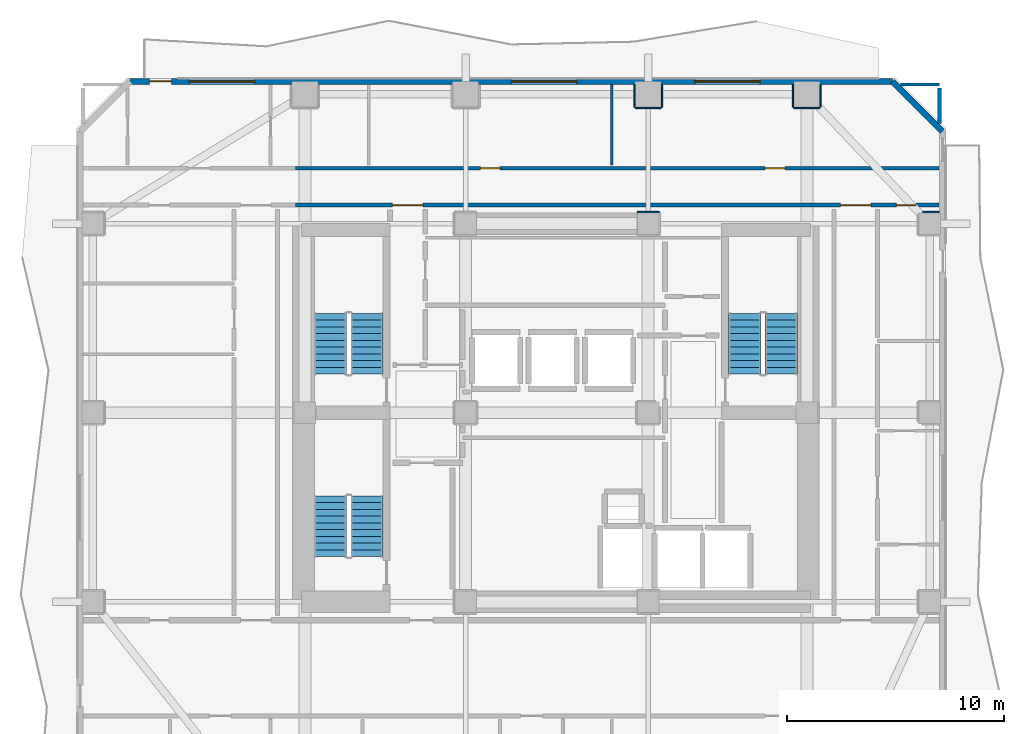
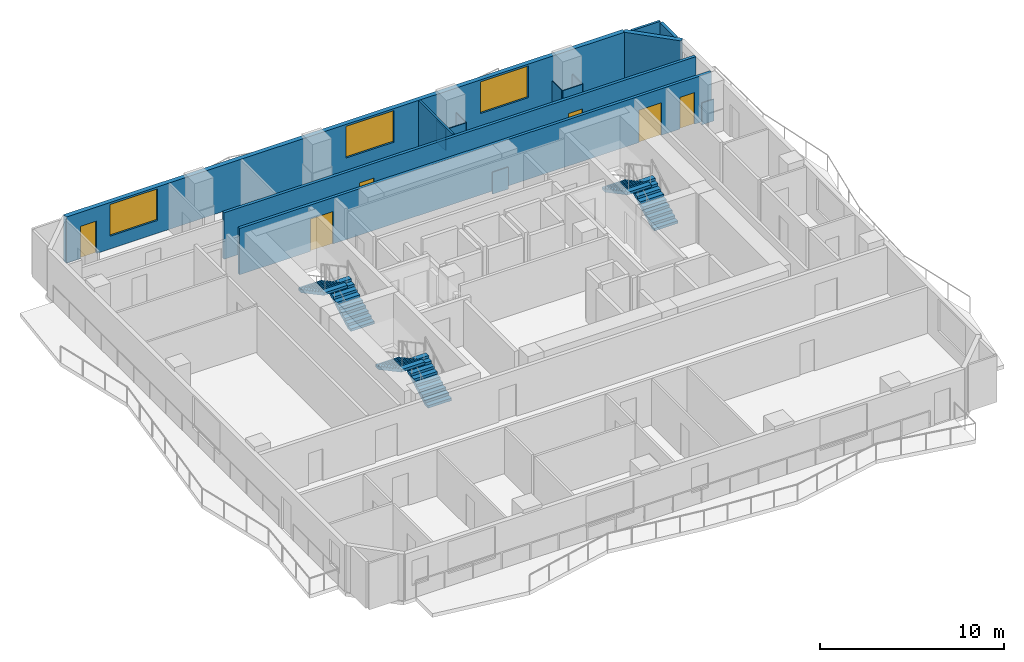
# One storey, part 6 of 10: 15 walls, 6 doors, 6 stair flights, 3 windows, 9 openings, 3 elements without a shape of their own.
"""IFC4 building model written with IfcOpenShell, lengths in metres."""

from ifc_helpers import new_model, si_unit, direction, frame, frame_2d, origin, place, context, subcontext, project, spatial, polyline, rectangle, outline, extrude, material, layer, layer_set, type_object, element, fill, aggregate, save


model = new_model("IFC4")

# Units and contexts
model_context = context("Model", 3, precision=1e-05, world=origin(), true_north=direction((0.0, 1.0)))
body_context = subcontext(model_context, "Body", "Model", "MODEL_VIEW")
ifc_project = project(units=[si_unit("LENGTHUNIT", "METRE"), si_unit("AREAUNIT", "SQUARE_METRE"), si_unit("VOLUMEUNIT", "CUBIC_METRE"), si_unit("PLANEANGLEUNIT", "RADIAN"), si_unit("MASSUNIT", "GRAM", prefix="KILO")], contexts=[model_context])

# Site, building, storey
site_placement = place(None, origin())
site = spatial("IfcSite", under=ifc_project, at=site_placement, CompositionType="ELEMENT")
building_placement = place(site_placement, origin())
building = spatial("IfcBuilding", under=site, at=building_placement, Name="Solanera Arch Residences", CompositionType="ELEMENT")
storey_placement = place(building_placement, frame((0.0, 0.0, 119.360107421875)))
storey = spatial("IfcBuildingStorey", under=building, at=storey_placement, Name="L34", CompositionType="ELEMENT", Elevation=119.360107421875)

# Walls
ifc_material_1 = material(Name="Fire-Rated Gypsum Stud Partition", Category="gypsum")
ifc_layer_1 = layer(ifc_material_1, 0.06005859375)
ifc_layer_set_1 = layer_set([ifc_layer_1], Name="Fire-Rated Gypsum Stud Partition")
wall_type_1 = type_object("IfcWallType", Name="Column Acoustic Furring Wall 60", PredefinedType="PARTITIONING", material=ifc_layer_set_1)
wall_1_placement = place(storey_placement, frame((28.699951171875, 39.931884765625, 0.0), z_axis=(0.0, 0.0, 1.0), x_axis=(1.0, 0.0, 0.0)))
element("IfcWall", 1, at=wall_1_placement, inside=storey, type_object=wall_type_1, Name="L34 Column Furring 4N", PredefinedType="PARTITIONING", context=body_context, shape_type="SweptSolid", body=[
    extrude(rectangle(XDim=1.0, YDim=0.06005859375, at=frame_2d((0.5, 0.0))), origin(), (0.0, 0.0, 1.0), 1.449951171875),
])
wall_2_placement = place(storey_placement, frame((28.60009765625, 44.718017578125, 0.0), z_axis=(0.0, 0.0, 1.0), x_axis=(1.0, 0.0, 0.0)))
element("IfcWall", 2, at=wall_2_placement, inside=storey, type_object=wall_type_1, Name="L34 Column Furring 14S", PredefinedType="PARTITIONING", context=body_context, shape_type="SweptSolid", body=[
    extrude(rectangle(XDim=1.199951171875, YDim=0.06005859375, at=frame_2d((0.60009765625, 0.0))), origin(), (0.0, 0.0, 1.0), 1.449951171875),
])
for number, where, z_axis, x_axis, name in (
    (3, (28.568115234375, 44.75, 0.0), (0.0, 0.0, 1.0), (0.0, 1.0, 0.0), "L34 Column Furring 14W"),
    (4, (29.83203125, 44.75, 0.0), (0.0, 0.0, 1.0), (0.0, 1.0, 0.0), "L34 Column Furring 14E"),
):
    element("IfcWall", number, at=place(storey_placement, frame(where, z_axis=z_axis, x_axis=x_axis)), inside=storey, type_object=wall_type_1, Name=name, PredefinedType="PARTITIONING", context=body_context, shape_type="SweptSolid", body=[
        extrude(rectangle(XDim=1.0400390625, YDim=0.06005859375, at=frame_2d((0.52001953125, 0.0))), origin(), (0.0, 0.0, 1.0), 1.449951171875),
    ])
wall_3_placement = place(storey_placement, frame((35.89990234375, 44.718017578125, 0.0), z_axis=(0.0, 0.0, 1.0), x_axis=(1.0, 0.0, 0.0)))
element("IfcWall", 5, at=wall_3_placement, inside=storey, type_object=wall_type_1, Name="L34 Column Furring 16S", PredefinedType="PARTITIONING", context=body_context, shape_type="SweptSolid", body=[
    extrude(rectangle(XDim=1.2001953125, YDim=0.06005859375, at=frame_2d((0.60009765625, 0.0))), origin(), (0.0, 0.0, 1.0), 1.449951171875),
])
for number, where, z_axis, x_axis, name in (
    (6, (35.867919921875, 44.75, 0.0), (0.0, 0.0, 1.0), (0.0, 1.0, 0.0), "L34 Column Furring 16W"),
    (7, (37.132080078125, 44.75, 0.0), (0.0, 0.0, 1.0), (0.0, 1.0, 0.0), "L34 Column Furring 16E"),
):
    element("IfcWall", number, at=place(storey_placement, frame(where, z_axis=z_axis, x_axis=x_axis)), inside=storey, type_object=wall_type_1, Name=name, PredefinedType="PARTITIONING", context=body_context, shape_type="SweptSolid", body=[
        extrude(rectangle(XDim=1.0400390625, YDim=0.06005859375, at=frame_2d((0.52001953125, 0.0))), origin(), (0.0, 0.0, 1.0), 1.449951171875),
    ])
wall_4_placement = place(storey_placement, frame((41.839111328125, 39.931884765625, 0.0), z_axis=(0.0, 0.0, 1.0), x_axis=(1.0, 0.0, 0.0)))
element("IfcWall", 8, at=wall_4_placement, inside=storey, type_object=wall_type_1, Name="L34 Column Furring 22N", PredefinedType="PARTITIONING", context=body_context, shape_type="SweptSolid", body=[
    extrude(rectangle(XDim=0.7509765625, YDim=0.06005859375, at=frame_2d((0.37548828125, 0.0))), origin(), (0.0, 0.0, 1.0), 1.449951171875),
])

# Wall, openings, doors
ifc_material_2 = material(Name="Autoclaved Aerated Concrete Blockwork", Category="masonry")
ifc_layer_2 = layer(ifc_material_2, 0.179931640625)
ifc_layer_set_2 = layer_set([ifc_layer_2], Name="Autoclaved Aerated Concrete Blockwork")
wall_type_2 = type_object("IfcWallType", Name="Corridor Fire Partition 180", PredefinedType="PARTITIONING", material=ifc_layer_set_2)
wall_5_placement = place(storey_placement, frame((12.97900390625, 40.25, 0.0), z_axis=(0.0, 0.0, 1.0), x_axis=(1.0, 0.0, 0.0)))
wall_5 = element("IfcWall", 9, at=wall_5_placement, inside=storey, type_object=wall_type_2, Name="L34 Interior Partition H11 3", PredefinedType="PARTITIONING", context=body_context, shape_type="SweptSolid", body=[
    extrude(rectangle(XDim=29.614013671875, YDim=0.179931640625, at=frame_2d((14.80712890625, 0.0))), origin(), (0.0, 0.0, 1.0), 3.079833984375),
])
opening_1_placement = place(wall_5_placement, frame((4.4560546875, 0.0, 0.0)))
opening_1 = element("IfcOpeningElement", 10, at=opening_1_placement, cuts=wall_5, Name="Opening DF-03", PredefinedType="OPENING", context=body_context, shape_type="SweptSolid", body=[
    extrude(rectangle(XDim=1.39990234375, YDim=2.14990234375, at=frame_2d((0.699951171875, 1.074951171875))), frame((0.0, 0.10009765625, 0.0), z_axis=(0.0, -1.0, 0.0), x_axis=(1.0, 0.0, 0.0)), (0.0, 0.0, 1.0), 0.1999),
])
opening_2_placement = place(wall_5_placement, frame((25.071044921875, 0.0, 0.0)))
opening_2 = element("IfcOpeningElement", 11, at=opening_2_placement, cuts=wall_5, Name="Opening DF-03", PredefinedType="OPENING", context=body_context, shape_type="SweptSolid", body=[
    extrude(rectangle(XDim=1.39990234375, YDim=2.14990234375, at=frame_2d((0.699951171875, 1.074951171875))), frame((0.0, 0.10009765625, 0.0), z_axis=(0.0, -1.0, 0.0), x_axis=(1.0, 0.0, 0.0)), (0.0, 0.0, 1.0), 0.1999),
])
opening_3_placement = place(wall_5_placement, frame((27.64208984375, 0.0, 0.0)))
opening_3 = element("IfcOpeningElement", 12, at=opening_3_placement, cuts=wall_5, Name="Opening DI-02", PredefinedType="OPENING", context=body_context, shape_type="SweptSolid", body=[
    extrude(rectangle(XDim=0.89990234375, YDim=2.10009765625, at=frame_2d((0.449951171875, 1.050048828125))), frame((0.0, 0.10009765625, 0.0), z_axis=(0.0, -1.0, 0.0), x_axis=(1.0, 0.0, 0.0)), (0.0, 0.0, 1.0), 0.1999),
])
ifc_material_3 = material(Name="Fire-Rated Architectural Hardwood", Category="wood")
door_type_1 = type_object("IfcDoorType", Name="Corridor Smoke Door DF-03", OperationType="NOTDEFINED", PredefinedType="DOOR", material=ifc_material_3)
door_1_placement = place(opening_1_placement, origin())
door_1 = element("IfcDoor", 13, at=door_1_placement, inside=storey, type_object=door_type_1, Name="DR-L34-IN-009", OperationType="SINGLE_SWING_RIGHT", OverallHeight=2.14990234375, OverallWidth=1.39990234375, PredefinedType="DOOR", context=body_context, shape_type="SweptSolid", body=[
    extrude(rectangle(XDim=1.39990234375, YDim=2.14990234375, at=frame_2d((0.699951171875, 1.074951171875))), frame((0.0, 0.02490234375, 0.0), z_axis=(0.0, -1.0, 0.0), x_axis=(1.0, 0.0, 0.0)), (0.0, 0.0, 1.0), 0.050048828125),
])
fill(opening_1, door_1)
door_2_placement = place(opening_2_placement, origin())
door_2 = element("IfcDoor", 14, at=door_2_placement, inside=storey, type_object=door_type_1, Name="DR-L34-IN-013", OperationType="SINGLE_SWING_RIGHT", OverallHeight=2.14990234375, OverallWidth=1.39990234375, PredefinedType="DOOR", context=body_context, shape_type="SweptSolid", body=[
    extrude(rectangle(XDim=1.39990234375, YDim=2.14990234375, at=frame_2d((0.699951171875, 1.074951171875))), frame((0.0, 0.02490234375, 0.0), z_axis=(0.0, -1.0, 0.0), x_axis=(1.0, 0.0, 0.0)), (0.0, 0.0, 1.0), 0.050048828125),
])
fill(opening_2, door_2)
ifc_material_4 = material(Name="Fire-Rated Architectural Hardwood", Category="wood")
door_type_2 = type_object("IfcDoorType", Name="Suite Room Swing Door DI-02", OperationType="NOTDEFINED", PredefinedType="DOOR", material=ifc_material_4)
door_3_placement = place(opening_3_placement, origin())
door_3 = element("IfcDoor", 15, at=door_3_placement, inside=storey, type_object=door_type_2, Name="DR-L34-IN-037", OperationType="SINGLE_SWING_RIGHT", OverallHeight=2.10009765625, OverallWidth=0.89990234375, PredefinedType="DOOR", context=body_context, shape_type="SweptSolid", body=[
    extrude(rectangle(XDim=0.89990234375, YDim=2.10009765625, at=frame_2d((0.449951171875, 1.050048828125))), frame((0.0, 0.02490234375, 0.0), z_axis=(0.0, -1.0, 0.0), x_axis=(1.0, 0.0, 0.0)), (0.0, 0.0, 1.0), 0.050048828125),
])
fill(opening_3, door_3)

wall_6_placement = place(storey_placement, frame((12.97900390625, 41.949951171875, 0.0), z_axis=(0.0, 0.0, 1.0), x_axis=(1.0, 0.0, 0.0)))
wall_6 = element("IfcWall", 16, at=wall_6_placement, inside=storey, type_object=wall_type_2, Name="L34 Interior Partition H12 3", PredefinedType="PARTITIONING", context=body_context, shape_type="SweptSolid", body=[
    extrude(rectangle(XDim=29.614013671875, YDim=0.179931640625, at=frame_2d((14.80712890625, 0.0))), origin(), (0.0, 0.0, 1.0), 3.079833984375),
])
opening_4_placement = place(wall_6_placement, frame((8.5029296875, 0.0, 0.0)))
opening_4 = element("IfcOpeningElement", 17, at=opening_4_placement, cuts=wall_6, Name="Opening DI-02", PredefinedType="OPENING", context=body_context, shape_type="SweptSolid", body=[
    extrude(rectangle(XDim=0.89990234375, YDim=2.10009765625, at=frame_2d((0.449951171875, 1.050048828125))), frame((0.0, 0.10009765625, 0.0), z_axis=(0.0, -1.0, 0.0), x_axis=(1.0, 0.0, 0.0)), (0.0, 0.0, 1.0), 0.1999),
])
opening_5_placement = place(wall_6_placement, frame((21.60693359375, 0.0, 0.0)))
opening_5 = element("IfcOpeningElement", 18, at=opening_5_placement, cuts=wall_6, Name="Opening DI-02", PredefinedType="OPENING", context=body_context, shape_type="SweptSolid", body=[
    extrude(rectangle(XDim=0.89990234375, YDim=2.10009765625, at=frame_2d((0.449951171875, 1.050048828125))), frame((0.0, 0.10009765625, 0.0), z_axis=(0.0, -1.0, 0.0), x_axis=(1.0, 0.0, 0.0)), (0.0, 0.0, 1.0), 0.1999),
])
door_4_placement = place(opening_4_placement, origin())
door_4 = element("IfcDoor", 19, at=door_4_placement, inside=storey, type_object=door_type_2, Name="DR-L34-IN-029", OperationType="SINGLE_SWING_RIGHT", OverallHeight=2.10009765625, OverallWidth=0.89990234375, PredefinedType="DOOR", context=body_context, shape_type="SweptSolid", body=[
    extrude(rectangle(XDim=0.89990234375, YDim=2.10009765625, at=frame_2d((0.449951171875, 1.050048828125))), frame((0.0, 0.02490234375, 0.0), z_axis=(0.0, -1.0, 0.0), x_axis=(1.0, 0.0, 0.0)), (0.0, 0.0, 1.0), 0.050048828125),
])
fill(opening_4, door_4)
door_5_placement = place(opening_5_placement, origin())
door_5 = element("IfcDoor", 20, at=door_5_placement, inside=storey, type_object=door_type_2, Name="DR-L34-IN-030", OperationType="SINGLE_SWING_LEFT", OverallHeight=2.10009765625, OverallWidth=0.89990234375, PredefinedType="DOOR", context=body_context, shape_type="SweptSolid", body=[
    extrude(rectangle(XDim=0.89990234375, YDim=2.10009765625, at=frame_2d((0.449951171875, 1.050048828125))), frame((0.0, 0.02490234375, 0.0), z_axis=(0.0, -1.0, 0.0), x_axis=(1.0, 0.0, 0.0)), (0.0, 0.0, 1.0), 0.050048828125),
])
fill(opening_5, door_5)

# Wall
wall_7_placement = place(storey_placement, frame((42.60009765625, 44.0048828125, 0.0), z_axis=(0.0, 0.0, 1.0), x_axis=(0.0, 1.0, 0.0)))
element("IfcWall", 21, at=wall_7_placement, inside=storey, type_object=wall_type_2, Name="L34 Interior Partition V13 2", PredefinedType="PARTITIONING", context=body_context, shape_type="SweptSolid", body=[
    extrude(rectangle(XDim=1.627197265625, YDim=0.179931640625, at=frame_2d((0.8134765625, 0.0))), origin(), (0.0, 0.0, 1.0), 3.079833984375),
])

# Wall, openings, door, windows
ifc_material_5 = material(Name="Precast Concrete C35/45", Category="concrete")
ifc_layer_3 = layer(ifc_material_5, 0.280029296875)
ifc_layer_set_3 = layer_set([ifc_layer_3], Name="Precast Concrete C35/45")
wall_type_3 = type_object("IfcWallType", Name="Exterior Wall Precast Masonry-Frame 280", PredefinedType="STANDARD", material=ifc_layer_set_3)
wall_8_placement = place(storey_placement, frame((5.35498046875, 45.945068359375, 0.0), z_axis=(0.0, 0.0, 1.0), x_axis=(1.0, 0.0, 0.0)))
wall_8 = element("IfcWall", 22, at=wall_8_placement, inside=storey, type_object=wall_type_3, Name="L34 Tower Exterior Precast Masonry-Frame Wall N", PredefinedType="STANDARD", context=body_context, shape_type="SweptSolid", body=[
    extrude(rectangle(XDim=35.090087890625, YDim=0.280029296875, at=frame_2d((17.544921875, 0.0))), origin(), (0.0, 0.0, 1.0), 3.079833984375),
])
opening_6_placement = place(wall_8_placement, frame((0.904052734375, 0.0, 0.0)))
opening_6 = element("IfcOpeningElement", 23, at=opening_6_placement, cuts=wall_8, Name="Opening DB-01", PredefinedType="OPENING", context=body_context, shape_type="SweptSolid", body=[
    extrude(rectangle(XDim=1.0, YDim=2.14990234375, at=frame_2d((0.5, 1.074951171875))), frame((0.0, 0.14990234375, 0.0), z_axis=(0.0, -1.0, 0.0), x_axis=(1.0, 0.0, 0.0)), (0.0, 0.0, 1.0), 0.3),
])
opening_7_placement = place(wall_8_placement, frame((2.73388671875, 0.0, 0.85009765625)))
opening_7 = element("IfcOpeningElement", 24, at=opening_7_placement, cuts=wall_8, Name="Opening W-12", PredefinedType="OPENING", context=body_context, shape_type="SweptSolid", body=[
    extrude(rectangle(XDim=3.0, YDim=2.10009765625, at=frame_2d((1.5, 1.050048828125))), frame((0.0, 0.14990234375, 0.0), z_axis=(0.0, -1.0, 0.0), x_axis=(1.0, 0.0, 0.0)), (0.0, 0.0, 1.0), 0.3),
])
opening_8_placement = place(wall_8_placement, frame((17.554931640625, 0.0, 0.85009765625)))
opening_8 = element("IfcOpeningElement", 25, at=opening_8_placement, cuts=wall_8, Name="Opening W-12", PredefinedType="OPENING", context=body_context, shape_type="SweptSolid", body=[
    extrude(rectangle(XDim=3.0, YDim=2.10009765625, at=frame_2d((1.5, 1.050048828125))), frame((0.0, 0.14990234375, 0.0), z_axis=(0.0, -1.0, 0.0), x_axis=(1.0, 0.0, 0.0)), (0.0, 0.0, 1.0), 0.3),
])
opening_9_placement = place(wall_8_placement, frame((25.9951171875, 0.0, 0.85009765625)))
opening_9 = element("IfcOpeningElement", 26, at=opening_9_placement, cuts=wall_8, Name="Opening W-12", PredefinedType="OPENING", context=body_context, shape_type="SweptSolid", body=[
    extrude(rectangle(XDim=3.0, YDim=2.10009765625, at=frame_2d((1.5, 1.050048828125))), frame((0.0, 0.14990234375, 0.0), z_axis=(0.0, -1.0, 0.0), x_axis=(1.0, 0.0, 0.0)), (0.0, 0.0, 1.0), 0.3),
])
ifc_material_6 = material(Name="Anodised Aluminium Alloy 6063-T6", Category="aluminium")
door_type_3 = type_object("IfcDoorType", Name="Glazed Balcony Swing Door DB-01", OperationType="NOTDEFINED", PredefinedType="DOOR", material=ifc_material_6)
door_6_placement = place(opening_6_placement, origin())
door_6 = element("IfcDoor", 27, at=door_6_placement, inside=storey, type_object=door_type_3, Name="DR-L34-OUT-02", OperationType="SINGLE_SWING_LEFT", OverallHeight=2.14990234375, OverallWidth=1.0, PredefinedType="DOOR", context=body_context, shape_type="SweptSolid", body=[
    extrude(rectangle(XDim=1.0, YDim=2.14990234375, at=frame_2d((0.5, 1.074951171875))), frame((0.0, 0.02490234375, 0.0), z_axis=(0.0, -1.0, 0.0), x_axis=(1.0, 0.0, 0.0)), (0.0, 0.0, 1.0), 0.050048828125),
])
fill(opening_6, door_6)
ifc_material_7 = material(Name="Double Glazed Low-E Laminated Glass", Category="glass")
window_type = type_object("IfcWindowType", Name="Punched Window W-12", PartitioningType="TRIPLE_PANEL_VERTICAL", PredefinedType="WINDOW", material=ifc_material_7)
window_1_placement = place(opening_7_placement, origin())
window_1 = element("IfcWindow", 28, at=window_1_placement, inside=storey, type_object=window_type, Name="L34 3403-LIV Punched Window", OverallHeight=2.10009765625, OverallWidth=3.0, PartitioningType="SINGLE_PANEL", PredefinedType="WINDOW", context=body_context, shape_type="SweptSolid", body=[
    extrude(rectangle(XDim=3.0, YDim=2.10009765625, at=frame_2d((1.5, 1.050048828125))), frame((0.0, 0.030029296875, 0.0), z_axis=(0.0, -1.0, 0.0), x_axis=(1.0, 0.0, 0.0)), (0.0, 0.0, 1.0), 0.06005859375),
])
fill(opening_7, window_1)
window_2_placement = place(opening_8_placement, origin())
window_2 = element("IfcWindow", 29, at=window_2_placement, inside=storey, type_object=window_type, Name="L34 AMN-MTG1 Punched Window", OverallHeight=2.10009765625, OverallWidth=3.0, PartitioningType="SINGLE_PANEL", PredefinedType="WINDOW", context=body_context, shape_type="SweptSolid", body=[
    extrude(rectangle(XDim=3.0, YDim=2.10009765625, at=frame_2d((1.5, 1.050048828125))), frame((0.0, 0.030029296875, 0.0), z_axis=(0.0, -1.0, 0.0), x_axis=(1.0, 0.0, 0.0)), (0.0, 0.0, 1.0), 0.06005859375),
])
fill(opening_8, window_2)
window_3_placement = place(opening_9_placement, origin())
window_3 = element("IfcWindow", 30, at=window_3_placement, inside=storey, type_object=window_type, Name="L34 AMN-MTG2 Punched Window", OverallHeight=2.10009765625, OverallWidth=3.0, PartitioningType="SINGLE_PANEL", PredefinedType="WINDOW", context=body_context, shape_type="SweptSolid", body=[
    extrude(rectangle(XDim=3.0, YDim=2.10009765625, at=frame_2d((1.5, 1.050048828125))), frame((0.0, 0.030029296875, 0.0), z_axis=(0.0, -1.0, 0.0), x_axis=(1.0, 0.0, 0.0)), (0.0, 0.0, 1.0), 0.06005859375),
])
fill(opening_9, window_3)

# Walls
wall_9_placement = place(storey_placement, frame((40.445068359375, 45.945068359375, 0.0), z_axis=(0.0, 0.0, 1.0), x_axis=(0.707106781187, -0.707106781187, 0.0)))
element("IfcWall", 31, at=wall_9_placement, inside=storey, type_object=wall_type_3, Name="L34 Tower Exterior Precast Masonry-Frame Wall CH3", PredefinedType="STANDARD", context=body_context, shape_type="SweptSolid", body=[
    extrude(rectangle(XDim=3.252685546875, YDim=0.280029296875, at=frame_2d((1.62646484375, 0.0))), origin(), (0.0, 0.0, 1.0), 3.079833984375),
])
ifc_material_8 = material(Name="Fire-Rated Gypsum Stud Partition", Category="gypsum")
ifc_layer_4 = layer(ifc_material_8, 0.1201171875)
ifc_layer_set_4 = layer_set([ifc_layer_4], Name="Fire-Rated Gypsum Stud Partition")
wall_type_4 = type_object("IfcWallType", Name="Unit Drywall Partition 120", PredefinedType="PARTITIONING", material=ifc_layer_set_4)
wall_10_placement = place(storey_placement, frame((27.52001953125, 42.10791015625, 0.0), z_axis=(0.0, 0.0, 1.0), x_axis=(0.0, 1.0, 0.0)))
element("IfcWall", 32, at=wall_10_placement, inside=storey, type_object=wall_type_4, Name="L34 Interior Partition V23", PredefinedType="PARTITIONING", context=body_context, shape_type="SweptSolid", body=[
    extrude(rectangle(XDim=3.68505859375, YDim=0.1201171875, at=frame_2d((1.842529296875, 0.0))), origin(), (0.0, 0.0, 1.0), 3.079833984375),
])
ifc_material_9 = material(Name="Autoclaved Aerated Concrete Blockwork", Category="masonry")
ifc_layer_5 = layer(ifc_material_9, 0.139892578125)
ifc_layer_set_5 = layer_set([ifc_layer_5], Name="Autoclaved Aerated Concrete Blockwork")
wall_type_5 = type_object("IfcWallType", Name="Wet-Room Partition 140", PredefinedType="PARTITIONING", material=ifc_layer_set_5)
wall_11_placement = place(storey_placement, frame((40.804931640625, 45.800048828125, 0.0), z_axis=(0.0, 0.0, 1.0), x_axis=(1.0, 0.0, 0.0)))
element("IfcWall", 33, at=wall_11_placement, inside=storey, type_object=wall_type_5, Name="L34 Interior Partition H17 2", PredefinedType="PARTITIONING", context=body_context, shape_type="SweptSolid", body=[
    extrude(rectangle(XDim=1.795166015625, YDim=0.139892578125, at=frame_2d((0.8974609375, 0.0))), origin(), (0.0, 0.0, 1.0), 3.079833984375),
])

# Stair, stair flights
ifc_material_10 = material(Name="Concrete C40/50 (f'c = 45 MPa)", Category="concrete")
stair_type = type_object("IfcStairType", Name="Tower Dogleg Exit Stair 1480", PredefinedType="HALF_TURN_STAIR", material=ifc_material_10)
stair_1_placement = place(storey_placement, origin())
stair_1 = element("IfcStair", 34, at=stair_1_placement, inside=storey, type_object=stair_type, Name="L34 Tower Core Exit Stair 1", PredefinedType="HALF_TURN_STAIR")
ifc_material_11 = material(Name="Concrete C40/50 (f'c = 45 MPa)", Category="concrete")
stair_flight_type = type_object("IfcStairFlightType", Name="Tower Precast Stair Flight 1480", PredefinedType="STRAIGHT", material=ifc_material_11)
stair_flight_1_placement = place(storey_placement, frame((16.260009765625, 32.47998046875, 0.0), z_axis=(0.0, 0.0, 1.0), x_axis=(0.0, 1.0, 0.0)))
stair_flight_1 = element("IfcStairFlight", 35, at=stair_flight_1_placement, type_object=stair_flight_type, Name="ST-T1 flight 1", NumberOfRisers=10, NumberOfTreads=9, PredefinedType="STRAIGHT", RiserHeight=0.166, TreadLength=0.31, context=body_context, shape_type="SweptSolid", body=[
    extrude(outline(polyline([(0.0, 0.0), (0.0, 0.166015625), (0.31005859375, 0.166015625), (0.31005859375, 0.33203125), (0.6201171875, 0.33203125), (0.6201171875, 0.498046875), (0.929931640625, 0.498046875), (0.929931640625, 0.6640625), (1.239990234375, 0.6640625), (1.239990234375, 0.830078125), (1.550048828125, 0.830078125), (1.550048828125, 0.99609375), (1.860107421875, 0.99609375), (1.860107421875, 1.162109375), (2.169921875, 1.162109375), (2.169921875, 1.327880859375), (2.47998046875, 1.327880859375), (2.47998046875, 1.493896484375), (2.7900390625, 1.493896484375), (2.7900390625, 1.659912109375), (2.7900390625, 1.323974609375), (0.317626953125, 0.0), (0.0, 0.0)])), frame((0.0, 0.739990234375, 0.0), z_axis=(0.0, -1.0, 0.0), x_axis=(1.0, 0.0, 0.0)), (0.0, 0.0, 1.0), 1.47998046875),
])
stair_flight_2_placement = place(storey_placement, frame((14.580078125, 35.27001953125, 1.659912109375), z_axis=(0.0, 0.0, 1.0), x_axis=(0.0, -1.0, 0.0)))
stair_flight_2 = element("IfcStairFlight", 36, at=stair_flight_2_placement, type_object=stair_flight_type, Name="ST-T1 flight 2", NumberOfRisers=10, NumberOfTreads=9, PredefinedType="STRAIGHT", RiserHeight=0.166, TreadLength=0.31, context=body_context, shape_type="SweptSolid", body=[
    extrude(outline(polyline([(0.0, 0.0), (0.0, 0.166015625), (0.31005859375, 0.166015625), (0.31005859375, 0.33203125), (0.6201171875, 0.33203125), (0.6201171875, 0.498046875), (0.929931640625, 0.498046875), (0.929931640625, 0.6640625), (1.239990234375, 0.6640625), (1.239990234375, 0.830078125), (1.550048828125, 0.830078125), (1.550048828125, 0.99609375), (1.860107421875, 0.99609375), (1.860107421875, 1.162109375), (2.169921875, 1.162109375), (2.169921875, 1.327880859375), (2.47998046875, 1.327880859375), (2.47998046875, 1.493896484375), (2.7900390625, 1.493896484375), (2.7900390625, 1.659912109375), (2.7900390625, 1.323974609375), (0.317626953125, 0.0), (0.0, 0.0)])), frame((0.0, 0.739990234375, 0.0), z_axis=(0.0, -1.0, 0.0), x_axis=(1.0, 0.0, 0.0)), (0.0, 0.0, 1.0), 1.47998046875),
])
aggregate(stair_1, [stair_flight_1, stair_flight_2])

stair_2_placement = place(storey_placement, origin())
stair_2 = element("IfcStair", 37, at=stair_2_placement, inside=storey, type_object=stair_type, Name="L34 Tower Core Exit Stair 2", PredefinedType="HALF_TURN_STAIR")
stair_flight_3_placement = place(storey_placement, frame((35.320068359375, 32.47998046875, 0.0), z_axis=(0.0, 0.0, 1.0), x_axis=(0.0, 1.0, 0.0)))
stair_flight_3 = element("IfcStairFlight", 38, at=stair_flight_3_placement, type_object=stair_flight_type, Name="ST-T2 flight 1", NumberOfRisers=10, NumberOfTreads=9, PredefinedType="STRAIGHT", RiserHeight=0.166, TreadLength=0.31, context=body_context, shape_type="SweptSolid", body=[
    extrude(outline(polyline([(0.0, 0.0), (0.0, 0.166015625), (0.31005859375, 0.166015625), (0.31005859375, 0.33203125), (0.6201171875, 0.33203125), (0.6201171875, 0.498046875), (0.929931640625, 0.498046875), (0.929931640625, 0.6640625), (1.239990234375, 0.6640625), (1.239990234375, 0.830078125), (1.550048828125, 0.830078125), (1.550048828125, 0.99609375), (1.860107421875, 0.99609375), (1.860107421875, 1.162109375), (2.169921875, 1.162109375), (2.169921875, 1.327880859375), (2.47998046875, 1.327880859375), (2.47998046875, 1.493896484375), (2.7900390625, 1.493896484375), (2.7900390625, 1.659912109375), (2.7900390625, 1.323974609375), (0.317626953125, 0.0), (0.0, 0.0)])), frame((0.0, 0.739990234375, 0.0), z_axis=(0.0, -1.0, 0.0), x_axis=(1.0, 0.0, 0.0)), (0.0, 0.0, 1.0), 1.47998046875),
])
stair_flight_4_placement = place(storey_placement, frame((33.639892578125, 35.27001953125, 1.659912109375), z_axis=(0.0, 0.0, 1.0), x_axis=(0.0, -1.0, 0.0)))
stair_flight_4 = element("IfcStairFlight", 39, at=stair_flight_4_placement, type_object=stair_flight_type, Name="ST-T2 flight 2", NumberOfRisers=10, NumberOfTreads=9, PredefinedType="STRAIGHT", RiserHeight=0.166, TreadLength=0.31, context=body_context, shape_type="SweptSolid", body=[
    extrude(outline(polyline([(0.0, 0.0), (0.0, 0.166015625), (0.31005859375, 0.166015625), (0.31005859375, 0.33203125), (0.6201171875, 0.33203125), (0.6201171875, 0.498046875), (0.929931640625, 0.498046875), (0.929931640625, 0.6640625), (1.239990234375, 0.6640625), (1.239990234375, 0.830078125), (1.550048828125, 0.830078125), (1.550048828125, 0.99609375), (1.860107421875, 0.99609375), (1.860107421875, 1.162109375), (2.169921875, 1.162109375), (2.169921875, 1.327880859375), (2.47998046875, 1.327880859375), (2.47998046875, 1.493896484375), (2.7900390625, 1.493896484375), (2.7900390625, 1.659912109375), (2.7900390625, 1.323974609375), (0.317626953125, 0.0), (0.0, 0.0)])), frame((0.0, 0.739990234375, 0.0), z_axis=(0.0, -1.0, 0.0), x_axis=(1.0, 0.0, 0.0)), (0.0, 0.0, 1.0), 1.47998046875),
])
aggregate(stair_2, [stair_flight_3, stair_flight_4])

stair_3_placement = place(storey_placement, origin())
stair_3 = element("IfcStair", 40, at=stair_3_placement, inside=storey, type_object=stair_type, Name="L34 Tower Core Exit Stair 3", PredefinedType="HALF_TURN_STAIR")
stair_flight_5_placement = place(storey_placement, frame((16.260009765625, 24.080078125, 0.0), z_axis=(0.0, 0.0, 1.0), x_axis=(0.0, 1.0, 0.0)))
stair_flight_5 = element("IfcStairFlight", 41, at=stair_flight_5_placement, type_object=stair_flight_type, Name="ST-T3 flight 1", NumberOfRisers=10, NumberOfTreads=9, PredefinedType="STRAIGHT", RiserHeight=0.166, TreadLength=0.31, context=body_context, shape_type="SweptSolid", body=[
    extrude(outline(polyline([(0.0, 0.0), (0.0, 0.166015625), (0.31005859375, 0.166015625), (0.31005859375, 0.33203125), (0.6201171875, 0.33203125), (0.6201171875, 0.498046875), (0.929931640625, 0.498046875), (0.929931640625, 0.6640625), (1.239990234375, 0.6640625), (1.239990234375, 0.830078125), (1.550048828125, 0.830078125), (1.550048828125, 0.99609375), (1.860107421875, 0.99609375), (1.860107421875, 1.162109375), (2.169921875, 1.162109375), (2.169921875, 1.327880859375), (2.47998046875, 1.327880859375), (2.47998046875, 1.493896484375), (2.7900390625, 1.493896484375), (2.7900390625, 1.659912109375), (2.7900390625, 1.323974609375), (0.317626953125, 0.0), (0.0, 0.0)])), frame((0.0, 0.739990234375, 0.0), z_axis=(0.0, -1.0, 0.0), x_axis=(1.0, 0.0, 0.0)), (0.0, 0.0, 1.0), 1.47998046875),
])
stair_flight_6_placement = place(storey_placement, frame((14.580078125, 26.8701171875, 1.659912109375), z_axis=(0.0, 0.0, 1.0), x_axis=(0.0, -1.0, 0.0)))
stair_flight_6 = element("IfcStairFlight", 42, at=stair_flight_6_placement, type_object=stair_flight_type, Name="ST-T3 flight 2", NumberOfRisers=10, NumberOfTreads=9, PredefinedType="STRAIGHT", RiserHeight=0.166, TreadLength=0.31, context=body_context, shape_type="SweptSolid", body=[
    extrude(outline(polyline([(0.0, 0.0), (0.0, 0.166015625), (0.31005859375, 0.166015625), (0.31005859375, 0.33203125), (0.6201171875, 0.33203125), (0.6201171875, 0.498046875), (0.929931640625, 0.498046875), (0.929931640625, 0.6640625), (1.239990234375, 0.6640625), (1.239990234375, 0.830078125), (1.550048828125, 0.830078125), (1.550048828125, 0.99609375), (1.860107421875, 0.99609375), (1.860107421875, 1.162109375), (2.169921875, 1.162109375), (2.169921875, 1.327880859375), (2.47998046875, 1.327880859375), (2.47998046875, 1.493896484375), (2.7900390625, 1.493896484375), (2.7900390625, 1.659912109375), (2.7900390625, 1.323974609375), (0.317626953125, 0.0), (0.0, 0.0)])), frame((0.0, 0.739990234375, 0.0), z_axis=(0.0, -1.0, 0.0), x_axis=(1.0, 0.0, 0.0)), (0.0, 0.0, 1.0), 1.47998046875),
])
aggregate(stair_3, [stair_flight_5, stair_flight_6])

save(model, "model.ifc")
